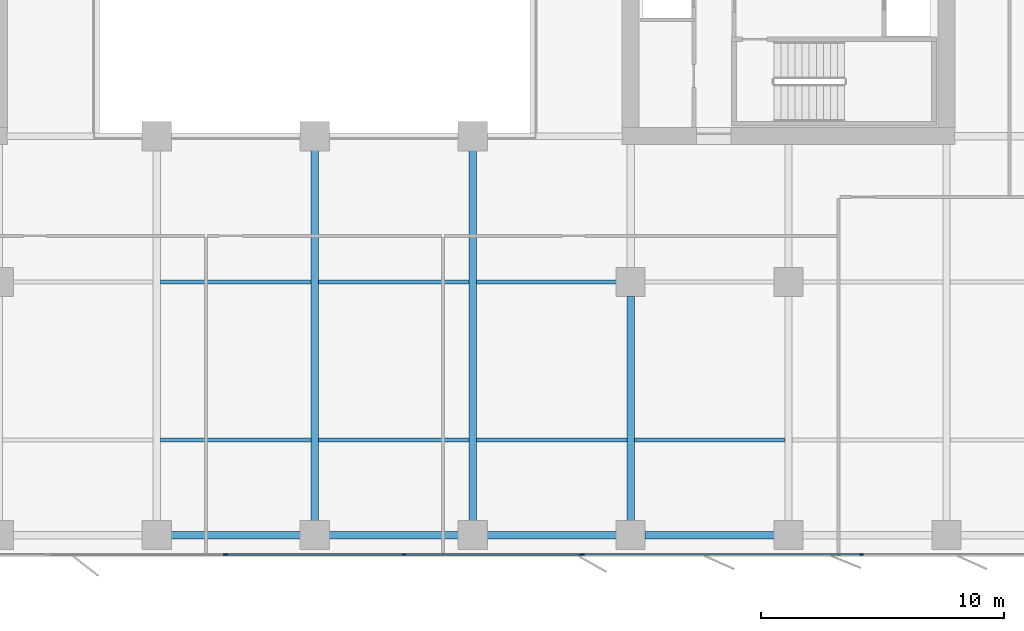
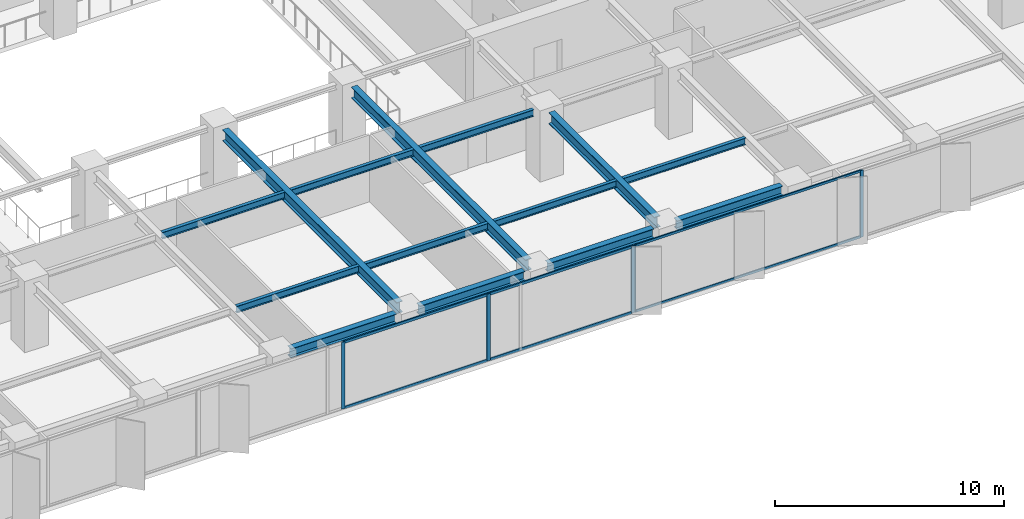
# One storey, part 5 of 20: 14 beams, 11 members, 2 elements without a shape of their own.
"""IFC4 building model written with IfcOpenShell, lengths in metres."""

from ifc_helpers import new_model, si_unit, direction, frame, origin, origin_2d, place, context, subcontext, project, spatial, rectangle, i_section, extrude, material, layer, layer_set, material_profile, profile_set, type_object, element, aggregate, save


model = new_model("IFC4")

# Units and contexts
model_context = context("Model", 3, precision=1e-05, world=origin(), true_north=direction((0.0, 1.0)))
body_context = subcontext(model_context, "Body", "Model", "MODEL_VIEW")
ifc_project = project(units=[si_unit("LENGTHUNIT", "METRE"), si_unit("AREAUNIT", "SQUARE_METRE"), si_unit("VOLUMEUNIT", "CUBIC_METRE"), si_unit("PLANEANGLEUNIT", "RADIAN"), si_unit("MASSUNIT", "GRAM", prefix="KILO")], contexts=[model_context])

# Site, building, storey
site_placement = place(None, origin())
site = spatial("IfcSite", under=ifc_project, at=site_placement, CompositionType="ELEMENT")
building_placement = place(site_placement, origin())
building = spatial("IfcBuilding", under=site, at=building_placement, Name="Putna Gate Headquarters", CompositionType="ELEMENT")
storey_placement = place(building_placement, frame((0.0, 0.0, 105.0)))
storey = spatial("IfcBuildingStorey", under=building, at=storey_placement, Name="L25", CompositionType="ELEMENT", Elevation=105.0)

# Beams
ifc_material_1 = material(Name="Steel S355J2", Category="steel")
ifc_material_profile_1 = material_profile(ifc_material_1, i_section(OverallWidth=0.300048828125, OverallDepth=0.60009765625, WebThickness=0.015380859375, FlangeThickness=0.030029296875, at=origin_2d()), Name="Steel S355J2")
ifc_profile_set_1 = profile_set([ifc_material_profile_1], Name="Steel S355J2")
beam_type_1 = type_object("IfcBeamType", Name="BM-GIRD-Z2-HEB600", PredefinedType="USERDEFINED", material=ifc_profile_set_1)
for number, where, z_axis, x_axis, name in (
    (1, (39.0, 3.16796875, 3.264892578125), (0.0, 1.0, 0.0), (-1.0, 0.0, 0.0), "L25 South Primary Girder X39"),
    (2, (45.5, 3.16796875, 3.264892578125), (0.0, 1.0, 0.0), (-1.0, 0.0, 0.0), "L25 South Primary Girder X45"),
):
    element("IfcBeam", number, at=place(storey_placement, frame(where, z_axis=z_axis, x_axis=x_axis)), inside=storey, type_object=beam_type_1, Name=name, ObjectType="GIRDER", PredefinedType="USERDEFINED", context=body_context, shape_type="SweptSolid", body=[
        extrude(i_section(OverallWidth=0.300048828125, OverallDepth=0.60009765625, WebThickness=0.015380859375, FlangeThickness=0.030029296875, at=origin_2d()), origin(), (0.0, 0.0, 1.0), 15.244140625),
    ])
beam_1_placement = place(storey_placement, frame((52.0, 3.16796875, 3.264892578125), z_axis=(0.0, 1.0, 0.0), x_axis=(-1.0, 0.0, 0.0)))
element("IfcBeam", 3, at=beam_1_placement, inside=storey, type_object=beam_type_1, Name="L25 South Primary Girder X52-1", ObjectType="GIRDER", PredefinedType="USERDEFINED", context=body_context, shape_type="SweptSolid", body=[
    extrude(i_section(OverallWidth=0.300048828125, OverallDepth=0.60009765625, WebThickness=0.015380859375, FlangeThickness=0.030029296875, at=origin_2d()), origin(), (0.0, 0.0, 1.0), 9.244140625),
])
ifc_material_profile_2 = material_profile(ifc_material_1, i_section(OverallWidth=0.169921875, OverallDepth=0.360107421875, WebThickness=0.008056640625, FlangeThickness=0.0126953125, at=origin_2d()), Name="Steel S355J2")
ifc_profile_set_2 = profile_set([ifc_material_profile_2], Name="Steel S355J2")
beam_type_2 = type_object("IfcBeamType", Name="BM-SEC-Z2-IPE360", PredefinedType="BEAM", material=ifc_profile_set_2)
for number, where, z_axis, x_axis, name in (
    (4, (32.654052734375, 6.5, 3.385009765625), (1.0, 0.0, 0.0), (0.0, 1.0, 0.0), "L25 South Secondary Beam 5"),
    (5, (32.654052734375, 13.0, 3.385009765625), (1.0, 0.0, 0.0), (0.0, 1.0, 0.0), "L25 South Secondary Beam 5"),
    (6, (39.154052734375, 6.5, 3.385009765625), (1.0, 0.0, 0.0), (0.0, 1.0, 0.0), "L25 South Secondary Beam 6"),
    (7, (39.154052734375, 13.0, 3.385009765625), (1.0, 0.0, 0.0), (0.0, 1.0, 0.0), "L25 South Secondary Beam 6"),
    (8, (45.654052734375, 6.5, 3.385009765625), (1.0, 0.0, 0.0), (0.0, 1.0, 0.0), "L25 South Secondary Beam 7"),
):
    element("IfcBeam", number, at=place(storey_placement, frame(where, z_axis=z_axis, x_axis=x_axis)), inside=storey, type_object=beam_type_2, Name=name, PredefinedType="BEAM", context=body_context, shape_type="SweptSolid", body=[
        extrude(i_section(OverallWidth=0.169921875, OverallDepth=0.360107421875, WebThickness=0.008056640625, FlangeThickness=0.0126953125, at=origin_2d()), origin(), (0.0, 0.0, 1.0), 6.19189453125),
    ])
beam_2_placement = place(storey_placement, frame((45.654052734375, 13.0, 3.385009765625), z_axis=(1.0, 0.0, 0.0), x_axis=(0.0, 1.0, 0.0)))
element("IfcBeam", 9, at=beam_2_placement, inside=storey, type_object=beam_type_2, Name="L25 South Secondary Beam 7", PredefinedType="BEAM", context=body_context, shape_type="SweptSolid", body=[
    extrude(i_section(OverallWidth=0.169921875, OverallDepth=0.360107421875, WebThickness=0.008056640625, FlangeThickness=0.0126953125, at=origin_2d()), origin(), (0.0, 0.0, 1.0), 5.758056640625),
])
beam_3_placement = place(storey_placement, frame((52.154052734375, 6.5, 3.385009765625), z_axis=(1.0, 0.0, 0.0), x_axis=(0.0, 1.0, 0.0)))
element("IfcBeam", 10, at=beam_3_placement, inside=storey, type_object=beam_type_2, Name="L25 South Secondary Beam 8", PredefinedType="BEAM", context=body_context, shape_type="SweptSolid", body=[
    extrude(i_section(OverallWidth=0.169921875, OverallDepth=0.360107421875, WebThickness=0.008056640625, FlangeThickness=0.0126953125, at=origin_2d()), origin(), (0.0, 0.0, 1.0), 6.19189453125),
])
ifc_material_profile_3 = material_profile(ifc_material_1, i_section(OverallWidth=0.300048828125, OverallDepth=0.489990234375, WebThickness=0.011962890625, FlangeThickness=0.02294921875, at=origin_2d()), Name="Steel S355J2")
ifc_profile_set_3 = profile_set([ifc_material_profile_3], Name="Steel S355J2")
beam_type_3 = type_object("IfcBeamType", Name="BM-SPAN-Z2-HEA500", PredefinedType="SPANDREL", material=ifc_profile_set_3)
for number, where, z_axis, x_axis, name in (
    (11, (33.087890625, 2.580078125, 3.320068359375), (1.0, 0.0, 0.0), (0.0, 1.0, 0.0), "L25 S Perimeter Spandrel 5"),
    (12, (39.587890625, 2.580078125, 3.320068359375), (1.0, 0.0, 0.0), (0.0, 1.0, 0.0), "L25 S Perimeter Spandrel 6"),
    (13, (46.087890625, 2.580078125, 3.320068359375), (1.0, 0.0, 0.0), (0.0, 1.0, 0.0), "L25 S Perimeter Spandrel 7"),
    (14, (52.587890625, 2.580078125, 3.320068359375), (1.0, 0.0, 0.0), (0.0, 1.0, 0.0), "L25 S Perimeter Spandrel 8"),
):
    element("IfcBeam", number, at=place(storey_placement, frame(where, z_axis=z_axis, x_axis=x_axis)), inside=storey, type_object=beam_type_3, Name=name, PredefinedType="SPANDREL", context=body_context, shape_type="SweptSolid", body=[
        extrude(i_section(OverallWidth=0.300048828125, OverallDepth=0.489990234375, WebThickness=0.011962890625, FlangeThickness=0.02294921875, at=origin_2d()), origin(), (0.0, 0.0, 1.0), 5.32421875),
    ])

# Curtain wall, members
ifc_material_2 = material(Name="Anodised bronze aluminium curtain wall", Category="aluminium")
ifc_layer_1 = layer(ifc_material_2, 0.159912109375)
ifc_layer_set_1 = layer_set([ifc_layer_1], Name="Anodised bronze aluminium curtain wall")
curtain_wall_type_1 = type_object("IfcCurtainWallType", Name="CW-SYS-Z2", PredefinedType="USERDEFINED", material=ifc_layer_set_1)
curtain_wall_1_placement = place(storey_placement, origin())
curtain_wall_1 = element("IfcCurtainWall", 15, at=curtain_wall_1_placement, inside=storey, type_object=curtain_wall_type_1, Name="L25 South East Curtain Wall", ObjectType="STICK CURTAIN WALL", PredefinedType="USERDEFINED")
ifc_material_3 = material(Name="Anodised bronze aluminium EN AW-6060", Category="aluminium")
ifc_material_profile_4 = material_profile(ifc_material_3, rectangle(XDim=0.06494140625, YDim=0.159912109375, at=origin_2d()), Name="Anodised bronze aluminium EN AW-6060")
ifc_profile_set_4 = profile_set([ifc_material_profile_4], Name="Anodised bronze aluminium EN AW-6060")
member_type_1 = type_object("IfcMemberType", Name="MULL-CWM-2", PredefinedType="MULLION", material=ifc_profile_set_4)
member_1_placement = place(storey_placement, frame((50.032470703125, 1.780029296875, 0.0), z_axis=(0.0, 0.0, 1.0), x_axis=(0.0, 1.0, 0.0)))
member_1 = element("IfcMember", 16, at=member_1_placement, type_object=member_type_1, Name="CWS-2 mullion 1", PredefinedType="MULLION", context=body_context, shape_type="SweptSolid", body=[
    extrude(rectangle(XDim=0.06494140625, YDim=0.159912109375, at=origin_2d()), origin(), (0.0, 0.0, 1.0), 3.56494140625),
])
member_2_placement = place(storey_placement, frame((61.5, 1.780029296875, 0.0), z_axis=(0.0, 0.0, 1.0), x_axis=(0.0, 1.0, 0.0)))
member_2 = element("IfcMember", 17, at=member_2_placement, type_object=member_type_1, Name="CWS-2 mullion 2", PredefinedType="MULLION", context=body_context, shape_type="SweptSolid", body=[
    extrude(rectangle(XDim=0.06494140625, YDim=0.159912109375, at=origin_2d()), origin(), (0.0, 0.0, 1.0), 3.56494140625),
])

ifc_layer_2 = layer(ifc_material_2, 0.179931640625)
ifc_layer_set_2 = layer_set([ifc_layer_2], Name="Anodised bronze aluminium curtain wall")
curtain_wall_type_2 = type_object("IfcCurtainWallType", Name="CW-SYS-ATR", PredefinedType="USERDEFINED", material=ifc_layer_set_2)
curtain_wall_2_placement = place(storey_placement, origin())
curtain_wall_2 = element("IfcCurtainWall", 18, at=curtain_wall_2_placement, inside=storey, type_object=curtain_wall_type_2, Name="L25 South Atrium Clear Glazing", ObjectType="ATRIUM GLAZING", PredefinedType="USERDEFINED")
ifc_material_profile_5 = material_profile(ifc_material_3, rectangle(XDim=0.070068359375, YDim=0.179931640625, at=origin_2d()), Name="Anodised bronze aluminium EN AW-6060")
ifc_profile_set_5 = profile_set([ifc_material_profile_5], Name="Anodised bronze aluminium EN AW-6060")
member_type_2 = type_object("IfcMemberType", Name="MULL-CWM-AT", PredefinedType="MULLION", material=ifc_profile_set_5)
member_3_placement = place(storey_placement, frame((35.333251953125, 1.780029296875, 0.0), z_axis=(0.0, 0.0, 1.0), x_axis=(0.0, 1.0, 0.0)))
member_3 = element("IfcMember", 19, at=member_3_placement, type_object=member_type_2, Name="CWS-AT mullion 2", PredefinedType="MULLION", context=body_context, shape_type="SweptSolid", body=[
    extrude(rectangle(XDim=0.070068359375, YDim=0.179931640625, at=origin_2d()), origin(), (0.0, 0.0, 1.0), 3.56494140625),
])
member_4_placement = place(storey_placement, frame((42.666748046875, 1.780029296875, 0.0), z_axis=(0.0, 0.0, 1.0), x_axis=(0.0, 1.0, 0.0)))
member_4 = element("IfcMember", 20, at=member_4_placement, type_object=member_type_2, Name="CWS-AT mullion 3", PredefinedType="MULLION", context=body_context, shape_type="SweptSolid", body=[
    extrude(rectangle(XDim=0.070068359375, YDim=0.179931640625, at=origin_2d()), origin(), (0.0, 0.0, 1.0), 3.56494140625),
])
member_5_placement = place(storey_placement, frame((49.965087890625, 1.780029296875, 0.0), z_axis=(0.0, 0.0, 1.0), x_axis=(0.0, 1.0, 0.0)))
member_5 = element("IfcMember", 21, at=member_5_placement, type_object=member_type_2, Name="CWS-AT mullion 4", PredefinedType="MULLION", context=body_context, shape_type="SweptSolid", body=[
    extrude(rectangle(XDim=0.070068359375, YDim=0.179931640625, at=origin_2d()), origin(), (0.0, 0.0, 1.0), 3.56494140625),
])

# Member
ifc_material_profile_6 = material_profile(ifc_material_3, rectangle(XDim=0.06494140625, YDim=0.1201171875, at=origin_2d()), Name="Anodised bronze aluminium EN AW-6060")
ifc_profile_set_6 = profile_set([ifc_material_profile_6], Name="Anodised bronze aluminium EN AW-6060")
member_type_3 = type_object("IfcMemberType", Name="TRAN-CWT-2", PredefinedType="USERDEFINED", material=ifc_profile_set_6)
member_6_placement = place(storey_placement, frame((50.06494140625, 1.780029296875, 0.032470703125), z_axis=(1.0, 0.0, 0.0), x_axis=(0.0, 1.0, 0.0)))
member_6 = element("IfcMember", 22, at=member_6_placement, type_object=member_type_3, Name="CWS-2 transom 1.1", ObjectType="TRANSOM", PredefinedType="USERDEFINED", context=body_context, shape_type="SweptSolid", body=[
    extrude(rectangle(XDim=0.06494140625, YDim=0.1201171875, at=origin_2d()), origin(), (0.0, 0.0, 1.0), 11.402587890625),
])

member_7_placement = place(storey_placement, frame((50.06494140625, 1.780029296875, 3.532470703125), z_axis=(1.0, 0.0, 0.0), x_axis=(0.0, 1.0, 0.0)))
member_7 = element("IfcMember", 23, at=member_7_placement, type_object=member_type_3, Name="CWS-2 transom 1.2", ObjectType="TRANSOM", PredefinedType="USERDEFINED", context=body_context, shape_type="SweptSolid", body=[
    extrude(rectangle(XDim=0.06494140625, YDim=0.1201171875, at=origin_2d()), origin(), (0.0, 0.0, 1.0), 11.402587890625),
])

aggregate(curtain_wall_1, [member_1, member_2, member_6, member_7])

ifc_material_profile_7 = material_profile(ifc_material_3, rectangle(XDim=0.070068359375, YDim=0.139892578125, at=origin_2d()), Name="Anodised bronze aluminium EN AW-6060")
ifc_profile_set_7 = profile_set([ifc_material_profile_7], Name="Anodised bronze aluminium EN AW-6060")
member_type_4 = type_object("IfcMemberType", Name="TRAN-CWT-AT", PredefinedType="USERDEFINED", material=ifc_profile_set_7)
member_8_placement = place(storey_placement, frame((35.368408203125, 1.780029296875, 0.034912109375), z_axis=(1.0, 0.0, 0.0), x_axis=(0.0, 1.0, 0.0)))
member_8 = element("IfcMember", 24, at=member_8_placement, type_object=member_type_4, Name="CWS-AT transom 2.1", ObjectType="TRANSOM", PredefinedType="USERDEFINED", context=body_context, shape_type="SweptSolid", body=[
    extrude(rectangle(XDim=0.070068359375, YDim=0.139892578125, at=origin_2d()), origin(), (0.0, 0.0, 1.0), 7.26318359375),
])

member_9_placement = place(storey_placement, frame((35.368408203125, 1.780029296875, 3.530029296875), z_axis=(1.0, 0.0, 0.0), x_axis=(0.0, 1.0, 0.0)))
member_9 = element("IfcMember", 25, at=member_9_placement, type_object=member_type_4, Name="CWS-AT transom 2.2", ObjectType="TRANSOM", PredefinedType="USERDEFINED", context=body_context, shape_type="SweptSolid", body=[
    extrude(rectangle(XDim=0.070068359375, YDim=0.139892578125, at=origin_2d()), origin(), (0.0, 0.0, 1.0), 7.26318359375),
])

member_10_placement = place(storey_placement, frame((42.70166015625, 1.780029296875, 0.034912109375), z_axis=(1.0, 0.0, 0.0), x_axis=(0.0, 1.0, 0.0)))
member_10 = element("IfcMember", 26, at=member_10_placement, type_object=member_type_4, Name="CWS-AT transom 3.1", ObjectType="TRANSOM", PredefinedType="USERDEFINED", context=body_context, shape_type="SweptSolid", body=[
    extrude(rectangle(XDim=0.070068359375, YDim=0.139892578125, at=origin_2d()), origin(), (0.0, 0.0, 1.0), 7.228271484375),
])

member_11_placement = place(storey_placement, frame((42.70166015625, 1.780029296875, 3.530029296875), z_axis=(1.0, 0.0, 0.0), x_axis=(0.0, 1.0, 0.0)))
member_11 = element("IfcMember", 27, at=member_11_placement, type_object=member_type_4, Name="CWS-AT transom 3.2", ObjectType="TRANSOM", PredefinedType="USERDEFINED", context=body_context, shape_type="SweptSolid", body=[
    extrude(rectangle(XDim=0.070068359375, YDim=0.139892578125, at=origin_2d()), origin(), (0.0, 0.0, 1.0), 7.228271484375),
])

aggregate(curtain_wall_2, [member_3, member_4, member_5, member_8, member_9, member_10, member_11])

save(model, "model.ifc")
